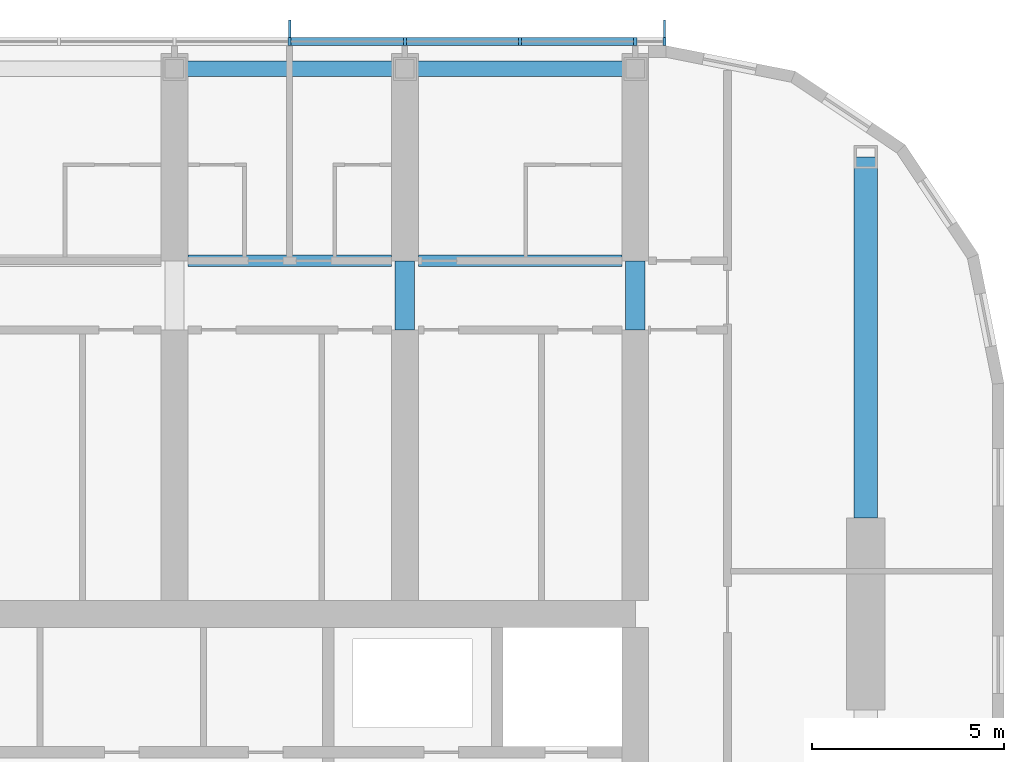
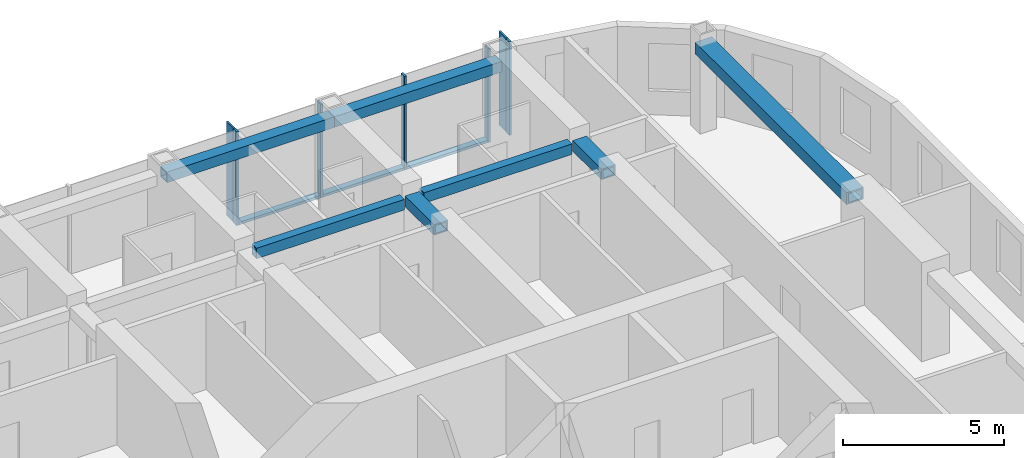
# One storey, part 5 of 23: 10 members, 7 beams, 1 element without a shape of its own.
"""IFC4 building model written with IfcOpenShell, lengths in metres."""

from ifc_helpers import new_model, si_unit, direction, frame, origin, origin_2d, place, context, subcontext, project, spatial, rectangle, hollow_rectangle, extrude, material, material_profile, profile_set, type_object, element, aggregate, save


model = new_model("IFC4")

# Units and contexts
model_context = context("Model", 3, precision=1e-05, world=origin(), true_north=direction((0.0, 1.0)))
body_context = subcontext(model_context, "Body", "Model", "MODEL_VIEW")
ifc_project = project(units=[si_unit("LENGTHUNIT", "METRE"), si_unit("AREAUNIT", "SQUARE_METRE"), si_unit("VOLUMEUNIT", "CUBIC_METRE"), si_unit("PLANEANGLEUNIT", "RADIAN"), si_unit("MASSUNIT", "GRAM", prefix="KILO")], contexts=[model_context])

# Site, building, storey
site_placement = place(None, origin())
site = spatial("IfcSite", under=ifc_project, at=site_placement, CompositionType="ELEMENT")
building_placement = place(site_placement, origin())
building = spatial("IfcBuilding", under=site, at=building_placement, Name="Orbita Commons", CompositionType="ELEMENT")
storey_placement = place(building_placement, frame((0.0, 0.0, 212.800048828125)))
storey = spatial("IfcBuildingStorey", under=building, at=storey_placement, Name="L52", CompositionType="ELEMENT", Elevation=212.800048828125)

# Curtain wall, members
ifc_material_1 = material(Name="Anodised aluminium frame, pale silver", Category="aluminium")
curtain_wall_type = type_object("IfcCurtainWallType", Name="Unitised curtain wall CW-U, full-height vision", PredefinedType="NOTDEFINED", material=ifc_material_1)
curtain_wall_placement = place(storey_placement, origin())
curtain_wall = element("IfcCurtainWall", 1, at=curtain_wall_placement, inside=storey, type_object=curtain_wall_type, Name="Curtain wall north L52", PredefinedType="NOTDEFINED")
ifc_material_2 = material(Name="Anodised aluminium, pale silver", Category="aluminium")
ifc_material_profile_1 = material_profile(ifc_material_2, rectangle(XDim=0.080078125, YDim=0.219970703125, at=origin_2d()), Name="AL 80x220")
ifc_profile_set_1 = profile_set([ifc_material_profile_1], Name="Anodised aluminium, pale silver")
member_type_1 = type_object("IfcMemberType", Name="Curtain wall mullion 80x220", PredefinedType="MULLION", material=ifc_profile_set_1)
member_1_placement = place(storey_placement, frame((66.760009765625, 53.110107421875, -0.25), z_axis=(0.0, 0.0, 1.0), x_axis=(-1.0, 0.0, 0.0)))
member_1 = element("IfcMember", 2, at=member_1_placement, type_object=member_type_1, Name="Mullion 1 CW-L52-N", PredefinedType="MULLION", context=body_context, shape_type="SweptSolid", body=[
    extrude(rectangle(XDim=0.080078125, YDim=0.219970703125, at=origin_2d()), origin(), (0.0, 0.0, 1.0), 3.550048828125),
])
member_2_placement = place(storey_placement, frame((66.0, 53.110107421875, -0.25), z_axis=(0.0, 0.0, 1.0), x_axis=(-1.0, 0.0, 0.0)))
member_2 = element("IfcMember", 3, at=member_2_placement, type_object=member_type_1, Name="Mullion 2 CW-L52-N", PredefinedType="MULLION", context=body_context, shape_type="SweptSolid", body=[
    extrude(rectangle(XDim=0.080078125, YDim=0.219970703125, at=origin_2d()), origin(), (0.0, 0.0, 1.0), 3.550048828125),
])
member_3_placement = place(storey_placement, frame((63.0, 53.110107421875, -0.25), z_axis=(0.0, 0.0, 1.0), x_axis=(-1.0, 0.0, 0.0)))
member_3 = element("IfcMember", 4, at=member_3_placement, type_object=member_type_1, Name="Mullion 3 CW-L52-N", PredefinedType="MULLION", context=body_context, shape_type="SweptSolid", body=[
    extrude(rectangle(XDim=0.080078125, YDim=0.219970703125, at=origin_2d()), origin(), (0.0, 0.0, 1.0), 3.550048828125),
])
member_4_placement = place(storey_placement, frame((60.0, 53.110107421875, -0.25), z_axis=(0.0, 0.0, 1.0), x_axis=(-1.0, 0.0, 0.0)))
member_4 = element("IfcMember", 5, at=member_4_placement, type_object=member_type_1, Name="Mullion 4 CW-L52-N", PredefinedType="MULLION", context=body_context, shape_type="SweptSolid", body=[
    extrude(rectangle(XDim=0.080078125, YDim=0.219970703125, at=origin_2d()), origin(), (0.0, 0.0, 1.0), 3.550048828125),
])
member_5_placement = place(storey_placement, frame((57.0, 53.110107421875, -0.25), z_axis=(0.0, 0.0, 1.0), x_axis=(-1.0, 0.0, 0.0)))
member_5 = element("IfcMember", 6, at=member_5_placement, type_object=member_type_1, Name="Mullion 5 CW-L52-N", PredefinedType="MULLION", context=body_context, shape_type="SweptSolid", body=[
    extrude(rectangle(XDim=0.080078125, YDim=0.219970703125, at=origin_2d()), origin(), (0.0, 0.0, 1.0), 3.550048828125),
])
ifc_material_3 = material(Name="Anodised aluminium, pale silver", Category="aluminium")
ifc_material_profile_2 = material_profile(ifc_material_3, rectangle(XDim=0.219970703125, YDim=0.10009765625, at=origin_2d()), Name="AL 220x100")
ifc_profile_set_2 = profile_set([ifc_material_profile_2], Name="Anodised aluminium, pale silver")
member_type_2 = type_object("IfcMemberType", Name="Curtain wall stack transom 220x100", PredefinedType="USERDEFINED", material=ifc_profile_set_2)
member_6_placement = place(storey_placement, frame((65.9599609375, 53.110107421875, -0.199951171875), z_axis=(-1.0, 0.0, 0.0), x_axis=(0.0, -1.0, 0.0)))
member_6 = element("IfcMember", 7, at=member_6_placement, type_object=member_type_2, Name="Transom 2.1 CW-L52-N", ObjectType="TRANSOM", PredefinedType="USERDEFINED", context=body_context, shape_type="SweptSolid", body=[
    extrude(rectangle(XDim=0.219970703125, YDim=0.10009765625, at=origin_2d()), origin(), (0.0, 0.0, 1.0), 2.919921875),
])
member_7_placement = place(storey_placement, frame((62.9599609375, 53.110107421875, -0.199951171875), z_axis=(-1.0, 0.0, 0.0), x_axis=(0.0, -1.0, 0.0)))
member_7 = element("IfcMember", 8, at=member_7_placement, type_object=member_type_2, Name="Transom 3.1 CW-L52-N", ObjectType="TRANSOM", PredefinedType="USERDEFINED", context=body_context, shape_type="SweptSolid", body=[
    extrude(rectangle(XDim=0.219970703125, YDim=0.10009765625, at=origin_2d()), origin(), (0.0, 0.0, 1.0), 2.919921875),
])
member_8_placement = place(storey_placement, frame((59.9599609375, 53.110107421875, -0.199951171875), z_axis=(-1.0, 0.0, 0.0), x_axis=(0.0, -1.0, 0.0)))
member_8 = element("IfcMember", 9, at=member_8_placement, type_object=member_type_2, Name="Transom 4.1 CW-L52-N", ObjectType="TRANSOM", PredefinedType="USERDEFINED", context=body_context, shape_type="SweptSolid", body=[
    extrude(rectangle(XDim=0.219970703125, YDim=0.10009765625, at=origin_2d()), origin(), (0.0, 0.0, 1.0), 2.919921875),
])

# Beams
ifc_material_4 = material(Name="Steel ASTM A572 Gr 50 welded plate", Category="steel")
ifc_material_profile_3 = material_profile(ifc_material_4, hollow_rectangle(XDim=0.300048828125, YDim=0.39990234375, WallThickness=0.0400390625, at=origin_2d()), Name="BOX 400x300x40")
ifc_profile_set_3 = profile_set([ifc_material_profile_3], Name="Steel ASTM A572 Gr 50 welded plate")
beam_type_1 = type_object("IfcBeamType", Name="Steel corridor link BOX 400x300x40", PredefinedType="BEAM", material=ifc_profile_set_3)
for number, where, z_axis, x_axis, name in (
    (10, (54.35009765625, 47.39990234375, 3.099853515625), (1.0, 0.0, 0.0), (0.0, 1.0, 0.0), "Corridor beam NB 10-11 L52"),
    (11, (60.35009765625, 47.39990234375, 3.099853515625), (1.0, 0.0, 0.0), (0.0, 1.0, 0.0), "Corridor beam NB 11-12 L52"),
):
    element("IfcBeam", number, at=place(storey_placement, frame(where, z_axis=z_axis, x_axis=x_axis)), inside=storey, type_object=beam_type_1, Name=name, PredefinedType="BEAM", context=body_context, shape_type="SweptSolid", body=[
        extrude(hollow_rectangle(XDim=0.300048828125, YDim=0.39990234375, WallThickness=0.0400390625, at=origin_2d()), origin(), (0.0, 0.0, 1.0), 5.2998046875),
    ])
ifc_material_5 = material(Name="Steel ASTM A572 Gr 50 welded plate", Category="steel")
ifc_material_profile_4 = material_profile(ifc_material_5, hollow_rectangle(XDim=0.5, YDim=0.39990234375, WallThickness=0.050048828125, at=origin_2d()), Name="BOX 400x500x50")
ifc_profile_set_4 = profile_set([ifc_material_profile_4], Name="Steel ASTM A572 Gr 50 welded plate")
beam_type_2 = type_object("IfcBeamType", Name="Steel coupling link BOX 400x500x50", PredefinedType="LINTEL", material=ifc_profile_set_4)
for number, where, z_axis, x_axis, name in (
    (12, (60.0, 45.60009765625, 3.099853515625), (0.0, 1.0, 0.0), (-1.0, 0.0, 0.0), "Coupling beam 11 north L52"),
    (13, (66.0, 45.60009765625, 3.099853515625), (0.0, 1.0, 0.0), (-1.0, 0.0, 0.0), "Coupling beam 12 north L52"),
):
    element("IfcBeam", number, at=place(storey_placement, frame(where, z_axis=z_axis, x_axis=x_axis)), inside=storey, type_object=beam_type_2, Name=name, PredefinedType="LINTEL", context=body_context, shape_type="SweptSolid", body=[
        extrude(hollow_rectangle(XDim=0.5, YDim=0.39990234375, WallThickness=0.050048828125, at=origin_2d()), origin(), (0.0, 0.0, 1.0), 1.7998046875),
    ])
ifc_material_6 = material(Name="Steel ASTM A572 Gr 50 welded plate", Category="steel")
ifc_material_profile_5 = material_profile(ifc_material_6, hollow_rectangle(XDim=0.60009765625, YDim=0.449951171875, WallThickness=0.06005859375, at=origin_2d()), Name="BOX 450x600x60")
ifc_profile_set_5 = profile_set([ifc_material_profile_5], Name="Steel ASTM A572 Gr 50 welded plate")
beam_type_3 = type_object("IfcBeamType", Name="Steel end frame link BOX 450x600x60", PredefinedType="BEAM", material=ifc_profile_set_5)
beam_placement = place(storey_placement, frame((72.0, 40.699951171875, 3.074951171875), z_axis=(0.0, 1.0, 0.0), x_axis=(-1.0, 0.0, 0.0)))
element("IfcBeam", 14, at=beam_placement, inside=storey, type_object=beam_type_3, Name="End frame beam 13 D-E L52", PredefinedType="BEAM", context=body_context, shape_type="SweptSolid", body=[
    extrude(hollow_rectangle(XDim=0.60009765625, YDim=0.449951171875, WallThickness=0.06005859375, at=origin_2d()), origin(), (0.0, 0.0, 1.0), 9.400146484375),
])
ifc_material_7 = material(Name="Steel ASTM A572 Gr 50 welded plate", Category="steel")
ifc_material_profile_6 = material_profile(ifc_material_7, hollow_rectangle(XDim=0.39990234375, YDim=0.39990234375, WallThickness=0.0400390625, at=origin_2d()), Name="BOX 400x400x40")
ifc_profile_set_6 = profile_set([ifc_material_profile_6], Name="Steel ASTM A572 Gr 50 welded plate")
beam_type_4 = type_object("IfcBeamType", Name="Steel spandrel BOX 400x400x40", PredefinedType="SPANDREL", material=ifc_profile_set_6)
for number, where, z_axis, x_axis, name in (
    (15, (54.0, 52.39990234375, 3.099853515625), (1.0, 0.0, 0.0), (0.0, 1.0, 0.0), "Spandrel beam E 10-11 L52"),
    (16, (60.0, 52.39990234375, 3.099853515625), (1.0, 0.0, 0.0), (0.0, 1.0, 0.0), "Spandrel beam E 11-12 L52"),
):
    element("IfcBeam", number, at=place(storey_placement, frame(where, z_axis=z_axis, x_axis=x_axis)), inside=storey, type_object=beam_type_4, Name=name, PredefinedType="SPANDREL", context=body_context, shape_type="SweptSolid", body=[
        extrude(hollow_rectangle(XDim=0.39990234375, YDim=0.39990234375, WallThickness=0.0400390625, at=origin_2d()), origin(), (0.0, 0.0, 1.0), 6.0),
    ])

# Member
ifc_material_8 = material(Name="Anodised aluminium, pale silver", Category="aluminium")
ifc_material_profile_7 = material_profile(ifc_material_8, rectangle(XDim=0.06005859375, YDim=0.449951171875, at=origin_2d()), Name="FIN 60x450")
ifc_profile_set_7 = profile_set([ifc_material_profile_7], Name="Anodised aluminium, pale silver")
member_type_3 = type_object("IfcMemberType", Name="Vertical fin 60x450 pale aluminium", PredefinedType="USERDEFINED", material=ifc_profile_set_7)
member_9_placement = place(storey_placement, frame((66.760009765625, 53.445068359375, -0.25), z_axis=(0.0, 0.0, 1.0), x_axis=(-1.0, 0.0, 0.0)))
member_9 = element("IfcMember", 17, at=member_9_placement, type_object=member_type_3, Name="Fin 1 CW-L52-N", ObjectType="FIN", PredefinedType="USERDEFINED", context=body_context, shape_type="SweptSolid", body=[
    extrude(rectangle(XDim=0.06005859375, YDim=0.449951171875, at=origin_2d()), origin(), (0.0, 0.0, 1.0), 3.550048828125),
])

member_10_placement = place(storey_placement, frame((57.0, 53.445068359375, -0.25), z_axis=(0.0, 0.0, 1.0), x_axis=(-1.0, 0.0, 0.0)))
member_10 = element("IfcMember", 18, at=member_10_placement, type_object=member_type_3, Name="Fin 5 CW-L52-N", ObjectType="FIN", PredefinedType="USERDEFINED", context=body_context, shape_type="SweptSolid", body=[
    extrude(rectangle(XDim=0.06005859375, YDim=0.449951171875, at=origin_2d()), origin(), (0.0, 0.0, 1.0), 3.550048828125),
])

aggregate(curtain_wall, [member_1, member_9, member_2, member_3, member_4, member_5, member_10, member_6, member_7, member_8])

save(model, "model.ifc")
